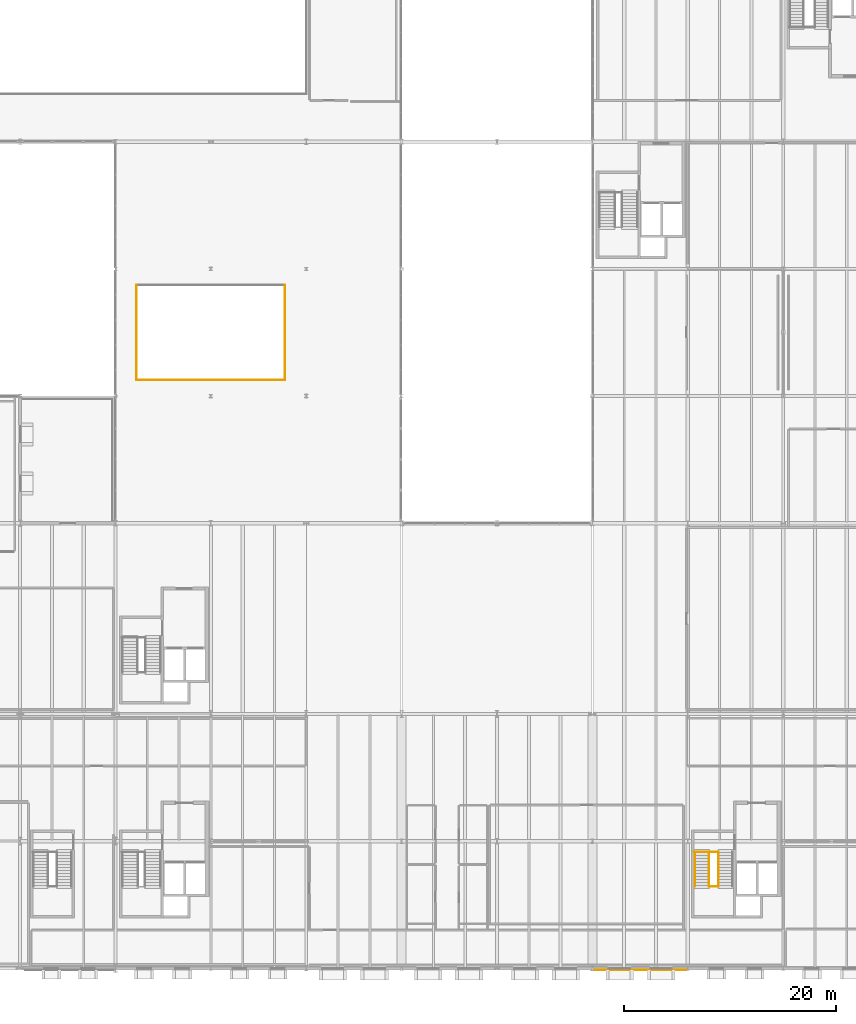
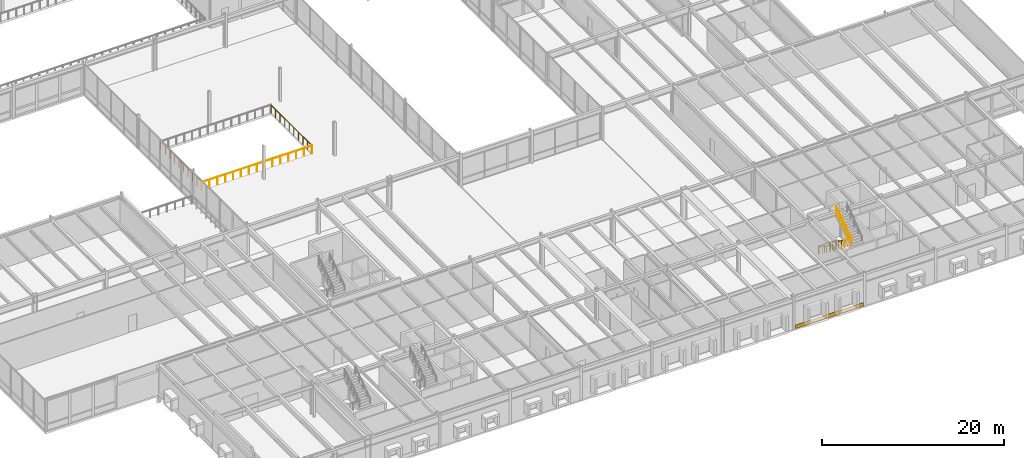
# One storey, part 112 of 115: 8 railings, 1 covering.
"""IFC4 building model written with IfcOpenShell, lengths in metres."""

from ifc_helpers import new_model, si_unit, direction, frame, origin, origin_2d, place, context, subcontext, project, spatial, rectangle, circle, extrude, material, layer, layer_set, type_object, element, save


model = new_model("IFC4")

# Units and contexts
model_context = context("Model", 3, precision=1e-05, world=origin(), true_north=direction((0.0, 1.0)))
body_context = subcontext(model_context, "Body", "Model", "MODEL_VIEW")
ifc_project = project(units=[si_unit("LENGTHUNIT", "METRE"), si_unit("AREAUNIT", "SQUARE_METRE"), si_unit("VOLUMEUNIT", "CUBIC_METRE"), si_unit("PLANEANGLEUNIT", "RADIAN"), si_unit("MASSUNIT", "GRAM", prefix="KILO")], contexts=[model_context])

# Site, building, storey
site_placement = place(None, origin())
site = spatial("IfcSite", under=ifc_project, at=site_placement, CompositionType="ELEMENT")
building_placement = place(site_placement, origin())
building = spatial("IfcBuilding", under=site, at=building_placement, Name="Montelvaro Courts of Justice", CompositionType="ELEMENT")
storey_placement = place(building_placement, frame((0.0, 0.0, 9.89990234375)))
storey = spatial("IfcBuildingStorey", under=building, at=storey_placement, Name="L02", CompositionType="ELEMENT", Elevation=9.89990234375)

# Covering
ifc_material_1 = material(Name="White mineral precast concrete C45/55", Category="concrete")
ifc_layer = layer(ifc_material_1, 0.0400390625)
ifc_layer_set = layer_set([ifc_layer], Name="White mineral precast concrete C45/55")
covering_type = type_object("IfcCoveringType", Name="BarCladding_GFRC", PredefinedType="CLADDING", material=ifc_layer_set)
covering_placement = place(storey_placement, frame((103.52490234375, -0.162109375, 0.030029296875), z_axis=(0.0, 0.0, 1.0), x_axis=(1.0, 0.0, 0.0)))
element("IfcCovering", 1, at=covering_placement, inside=storey, type_object=covering_type, Name="Horizontal White Bar Spandrel Cladding CL-01-014", PredefinedType="CLADDING", context=body_context, shape_type="SweptSolid", body=[
    extrude(rectangle(XDim=8.634033203125, YDim=0.0400390625, at=origin_2d()), origin(), (0.0, 0.0, 1.0), 0.5),
])

# Railings
ifc_material_2 = material(Name="Steel S355", Category="steel")
railing_type_1 = type_object("IfcRailingType", Name="InteriorGuard_1100", PredefinedType="BALUSTRADE", material=ifc_material_2)
railing_1_placement = place(storey_placement, frame((108.60009765625, 11.0, 0.0)))
element("IfcRailing", 2, at=railing_1_placement, inside=storey, type_object=railing_type_1, Name="Stair Well Guard GR-02 ST-K2-L01-TLG", PredefinedType="BALUSTRADE", context=body_context, shape_type="SweptSolid", body=[
    extrude(circle(Radius=0.02392578125, at=origin_2d()), frame((0.0, 0.0, 1.076171875), z_axis=(1.0, 0.0, 0.0), x_axis=(0.0, 1.0, 0.0)), (0.0, 0.0, 1.0), 2.289794921875),
    extrude(circle(Radius=0.02099609375, at=origin_2d()), origin(), (0.0, 0.0, 1.0), 1.052001953125),
    extrude(circle(Radius=0.02099609375, at=origin_2d()), frame((0.76318359375, 0.0, 0.0)), (0.0, 0.0, 1.0), 1.052001953125),
    extrude(circle(Radius=0.02099609375, at=origin_2d()), frame((1.526611328125, 0.0, 0.0)), (0.0, 0.0, 1.0), 1.052001953125),
    extrude(circle(Radius=0.02099609375, at=origin_2d()), frame((2.289794921875, 0.0, 0.0)), (0.0, 0.0, 1.0), 1.052001953125),
])
railing_2_placement = place(storey_placement, frame((110.010009765625, 11.0, 0.0)))
element("IfcRailing", 3, at=railing_2_placement, inside=storey, type_object=railing_type_1, Name="Stair Well Guard GR-02 ST-K2-L02-F1G", PredefinedType="BALUSTRADE", context=body_context, shape_type="SweptSolid", body=[
    extrude(circle(Radius=0.02392578125, at=origin_2d()), frame((0.0, 0.0, 1.076171875), z_axis=(0.0, -0.823407228882, 0.567450910146), x_axis=(1.0, 0.0, 0.0)), (0.0, 0.0, 1.0), 3.965087890625),
    extrude(circle(Radius=0.02099609375, at=origin_2d()), origin(), (0.0, 0.0, 1.0), 1.052001953125),
    extrude(circle(Radius=0.02099609375, at=origin_2d()), frame((0.0, -0.653076171875, 0.449951171875)), (0.0, 0.0, 1.0), 1.052001953125),
    extrude(circle(Radius=0.02099609375, at=origin_2d()), frame((0.0, -1.305908203125, 0.89990234375)), (0.0, 0.0, 1.0), 1.052001953125),
    extrude(circle(Radius=0.02099609375, at=origin_2d()), frame((0.0, -1.958984375, 1.35009765625)), (0.0, 0.0, 1.0), 1.052001953125),
    extrude(circle(Radius=0.02099609375, at=origin_2d()), frame((0.0, -2.61181640625, 1.800048828125)), (0.0, 0.0, 1.0), 1.052001953125),
    extrude(circle(Radius=0.02099609375, at=origin_2d()), frame((0.0, -3.264892578125, 2.25)), (0.0, 0.0, 1.0), 1.052001953125),
])
railing_3_placement = place(storey_placement, frame((110.889892578125, 7.735107421875, 2.25)))
element("IfcRailing", 4, at=railing_3_placement, inside=storey, type_object=railing_type_1, Name="Stair Well Guard GR-02 ST-K2-L02-F2G", PredefinedType="BALUSTRADE", context=body_context, shape_type="SweptSolid", body=[
    extrude(circle(Radius=0.02392578125, at=origin_2d()), frame((0.0, 0.0, 1.076171875), z_axis=(0.0, 0.823407228882, 0.567450910146), x_axis=(-1.0, 0.0, 0.0)), (0.0, 0.0, 1.0), 3.965087890625),
    extrude(circle(Radius=0.02099609375, at=origin_2d()), origin(), (0.0, 0.0, 1.0), 1.052001953125),
    extrude(circle(Radius=0.02099609375, at=origin_2d()), frame((0.0, 0.653076171875, 0.449951171875)), (0.0, 0.0, 1.0), 1.052001953125),
    extrude(circle(Radius=0.02099609375, at=origin_2d()), frame((0.0, 1.305908203125, 0.89990234375)), (0.0, 0.0, 1.0), 1.052001953125),
    extrude(circle(Radius=0.02099609375, at=origin_2d()), frame((0.0, 1.958984375, 1.35009765625)), (0.0, 0.0, 1.0), 1.052001953125),
    extrude(circle(Radius=0.02099609375, at=origin_2d()), frame((0.0, 2.61181640625, 1.800048828125)), (0.0, 0.0, 1.0), 1.052001953125),
    extrude(circle(Radius=0.02099609375, at=origin_2d()), frame((0.0, 3.264892578125, 2.25)), (0.0, 0.0, 1.0), 1.052001953125),
])
railing_4_placement = place(storey_placement, frame((110.010009765625, 7.735107421875, 2.25)))
element("IfcRailing", 5, at=railing_4_placement, inside=storey, type_object=railing_type_1, Name="Stair Well Guard GR-02 ST-K2-L02-MLG", PredefinedType="BALUSTRADE", context=body_context, shape_type="SweptSolid", body=[
    extrude(circle(Radius=0.02392578125, at=origin_2d()), frame((0.0, 0.0, 1.076171875), z_axis=(1.0, 0.0, 0.0), x_axis=(0.0, 1.0, 0.0)), (0.0, 0.0, 1.0), 0.8798828125),
    extrude(circle(Radius=0.02099609375, at=origin_2d()), origin(), (0.0, 0.0, 1.0), 1.052001953125),
    extrude(circle(Radius=0.02099609375, at=origin_2d()), frame((0.8798828125, 0.0, 0.0)), (0.0, 0.0, 1.0), 1.052001953125),
])
railing_5_placement = place(storey_placement, frame((56.0, 55.5, 0.0)))
element("IfcRailing", 6, at=railing_5_placement, inside=storey, type_object=railing_type_1, Name="Atrium Void Balustrade GR-02 (L02)", PredefinedType="BALUSTRADE", context=body_context, shape_type="SweptSolid", body=[
    extrude(circle(Radius=0.02392578125, at=origin_2d()), frame((0.0, 0.0, 1.076171875), z_axis=(1.0, 0.0, 0.0), x_axis=(0.0, 1.0, 0.0)), (0.0, 0.0, 1.0), 14.0),
    extrude(circle(Radius=0.02099609375, at=origin_2d()), origin(), (0.0, 0.0, 1.0), 1.052001953125),
    extrude(circle(Radius=0.02099609375, at=origin_2d()), frame((1.0, 0.0, 0.0)), (0.0, 0.0, 1.0), 1.052001953125),
    extrude(circle(Radius=0.02099609375, at=origin_2d()), frame((2.0, 0.0, 0.0)), (0.0, 0.0, 1.0), 1.052001953125),
    extrude(circle(Radius=0.02099609375, at=origin_2d()), frame((3.0, 0.0, 0.0)), (0.0, 0.0, 1.0), 1.052001953125),
    extrude(circle(Radius=0.02099609375, at=origin_2d()), frame((4.0, 0.0, 0.0)), (0.0, 0.0, 1.0), 1.052001953125),
    extrude(circle(Radius=0.02099609375, at=origin_2d()), frame((5.0, 0.0, 0.0)), (0.0, 0.0, 1.0), 1.052001953125),
    extrude(circle(Radius=0.02099609375, at=origin_2d()), frame((6.0, 0.0, 0.0)), (0.0, 0.0, 1.0), 1.052001953125),
    extrude(circle(Radius=0.02099609375, at=origin_2d()), frame((7.0, 0.0, 0.0)), (0.0, 0.0, 1.0), 1.052001953125),
    extrude(circle(Radius=0.02099609375, at=origin_2d()), frame((8.0, 0.0, 0.0)), (0.0, 0.0, 1.0), 1.052001953125),
    extrude(circle(Radius=0.02099609375, at=origin_2d()), frame((9.0, 0.0, 0.0)), (0.0, 0.0, 1.0), 1.052001953125),
    extrude(circle(Radius=0.02099609375, at=origin_2d()), frame((10.0, 0.0, 0.0)), (0.0, 0.0, 1.0), 1.052001953125),
    extrude(circle(Radius=0.02099609375, at=origin_2d()), frame((11.0, 0.0, 0.0)), (0.0, 0.0, 1.0), 1.052001953125),
    extrude(circle(Radius=0.02099609375, at=origin_2d()), frame((12.0, 0.0, 0.0)), (0.0, 0.0, 1.0), 1.052001953125),
    extrude(circle(Radius=0.02099609375, at=origin_2d()), frame((13.0, 0.0, 0.0)), (0.0, 0.0, 1.0), 1.052001953125),
    extrude(circle(Radius=0.02099609375, at=origin_2d()), frame((14.0, 0.0, 0.0)), (0.0, 0.0, 1.0), 1.052001953125),
])
railing_6_placement = place(storey_placement, frame((70.0, 55.5, 0.0)))
element("IfcRailing", 7, at=railing_6_placement, inside=storey, type_object=railing_type_1, Name="Atrium Void Balustrade GR-02 (L02)", PredefinedType="BALUSTRADE", context=body_context, shape_type="SweptSolid", body=[
    extrude(circle(Radius=0.02392578125, at=origin_2d()), frame((0.0, 0.0, 1.076171875), z_axis=(0.0, 1.0, 0.0), x_axis=(-1.0, 0.0, 0.0)), (0.0, 0.0, 1.0), 9.0),
    extrude(circle(Radius=0.02099609375, at=origin_2d()), origin(), (0.0, 0.0, 1.0), 1.052001953125),
    extrude(circle(Radius=0.02099609375, at=origin_2d()), frame((0.0, 1.0, 0.0)), (0.0, 0.0, 1.0), 1.052001953125),
    extrude(circle(Radius=0.02099609375, at=origin_2d()), frame((0.0, 2.0, 0.0)), (0.0, 0.0, 1.0), 1.052001953125),
    extrude(circle(Radius=0.02099609375, at=origin_2d()), frame((0.0, 3.0, 0.0)), (0.0, 0.0, 1.0), 1.052001953125),
    extrude(circle(Radius=0.02099609375, at=origin_2d()), frame((0.0, 4.0, 0.0)), (0.0, 0.0, 1.0), 1.052001953125),
    extrude(circle(Radius=0.02099609375, at=origin_2d()), frame((0.0, 5.0, 0.0)), (0.0, 0.0, 1.0), 1.052001953125),
    extrude(circle(Radius=0.02099609375, at=origin_2d()), frame((0.0, 6.0, 0.0)), (0.0, 0.0, 1.0), 1.052001953125),
    extrude(circle(Radius=0.02099609375, at=origin_2d()), frame((0.0, 7.0, 0.0)), (0.0, 0.0, 1.0), 1.052001953125),
    extrude(circle(Radius=0.02099609375, at=origin_2d()), frame((0.0, 8.0, 0.0)), (0.0, 0.0, 1.0), 1.052001953125),
    extrude(circle(Radius=0.02099609375, at=origin_2d()), frame((0.0, 9.0, 0.0)), (0.0, 0.0, 1.0), 1.052001953125),
])
railing_7_placement = place(storey_placement, frame((56.0, 64.5, 0.0)))
element("IfcRailing", 8, at=railing_7_placement, inside=storey, type_object=railing_type_1, Name="Atrium Void Balustrade GR-02 (L02)", PredefinedType="BALUSTRADE", context=body_context, shape_type="SweptSolid", body=[
    extrude(circle(Radius=0.02392578125, at=origin_2d()), frame((0.0, 0.0, 1.076171875), z_axis=(0.0, -1.0, 0.0), x_axis=(1.0, 0.0, 0.0)), (0.0, 0.0, 1.0), 9.0),
    extrude(circle(Radius=0.02099609375, at=origin_2d()), origin(), (0.0, 0.0, 1.0), 1.052001953125),
    extrude(circle(Radius=0.02099609375, at=origin_2d()), frame((0.0, -1.0, 0.0)), (0.0, 0.0, 1.0), 1.052001953125),
    extrude(circle(Radius=0.02099609375, at=origin_2d()), frame((0.0, -2.0, 0.0)), (0.0, 0.0, 1.0), 1.052001953125),
    extrude(circle(Radius=0.02099609375, at=origin_2d()), frame((0.0, -3.0, 0.0)), (0.0, 0.0, 1.0), 1.052001953125),
    extrude(circle(Radius=0.02099609375, at=origin_2d()), frame((0.0, -4.0, 0.0)), (0.0, 0.0, 1.0), 1.052001953125),
    extrude(circle(Radius=0.02099609375, at=origin_2d()), frame((0.0, -5.0, 0.0)), (0.0, 0.0, 1.0), 1.052001953125),
    extrude(circle(Radius=0.02099609375, at=origin_2d()), frame((0.0, -6.0, 0.0)), (0.0, 0.0, 1.0), 1.052001953125),
    extrude(circle(Radius=0.02099609375, at=origin_2d()), frame((0.0, -7.0, 0.0)), (0.0, 0.0, 1.0), 1.052001953125),
    extrude(circle(Radius=0.02099609375, at=origin_2d()), frame((0.0, -8.0, 0.0)), (0.0, 0.0, 1.0), 1.052001953125),
    extrude(circle(Radius=0.02099609375, at=origin_2d()), frame((0.0, -9.0, 0.0)), (0.0, 0.0, 1.0), 1.052001953125),
])
ifc_material_3 = material(Name="Austenitic stainless steel EN 1.4401", Category="steel")
railing_type_2 = type_object("IfcRailingType", Name="StairHandrail_950", PredefinedType="HANDRAIL", material=ifc_material_3)
railing_8_placement = place(storey_placement, frame((108.659912109375, 11.0, 0.0)))
element("IfcRailing", 9, at=railing_8_placement, inside=storey, type_object=railing_type_2, Name="Stair Pitch Handrail HR-01 ST-K2-L02-F1H", PredefinedType="HANDRAIL", context=body_context, shape_type="SweptSolid", body=[
    extrude(circle(Radius=0.02392578125, at=origin_2d()), frame((0.0, 0.0, 0.92578125), z_axis=(0.0, -0.823407228882, 0.567450910146), x_axis=(1.0, 0.0, 0.0)), (0.0, 0.0, 1.0), 3.965087890625),
    extrude(circle(Radius=0.02099609375, at=origin_2d()), origin(), (0.0, 0.0, 1.0), 0.90185546875),
    extrude(circle(Radius=0.02099609375, at=origin_2d()), frame((0.0, -0.816162109375, 0.5625)), (0.0, 0.0, 1.0), 0.90185546875),
    extrude(circle(Radius=0.02099609375, at=origin_2d()), frame((0.0, -1.63232421875, 1.125)), (0.0, 0.0, 1.0), 0.90185546875),
    extrude(circle(Radius=0.02099609375, at=origin_2d()), frame((0.0, -2.44873046875, 1.6875)), (0.0, 0.0, 1.0), 0.90185546875),
    extrude(circle(Radius=0.02099609375, at=origin_2d()), frame((0.0, -3.264892578125, 2.25)), (0.0, 0.0, 1.0), 0.90185546875),
])

save(model, "model.ifc")
